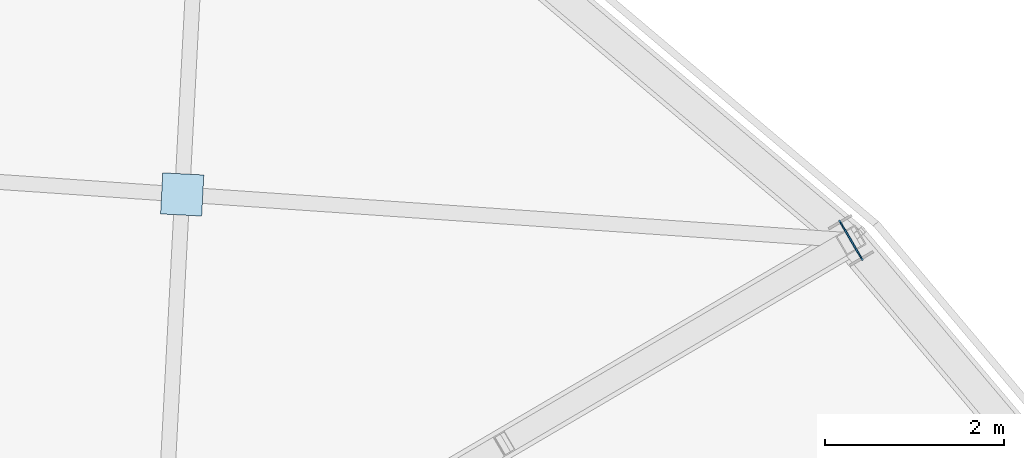
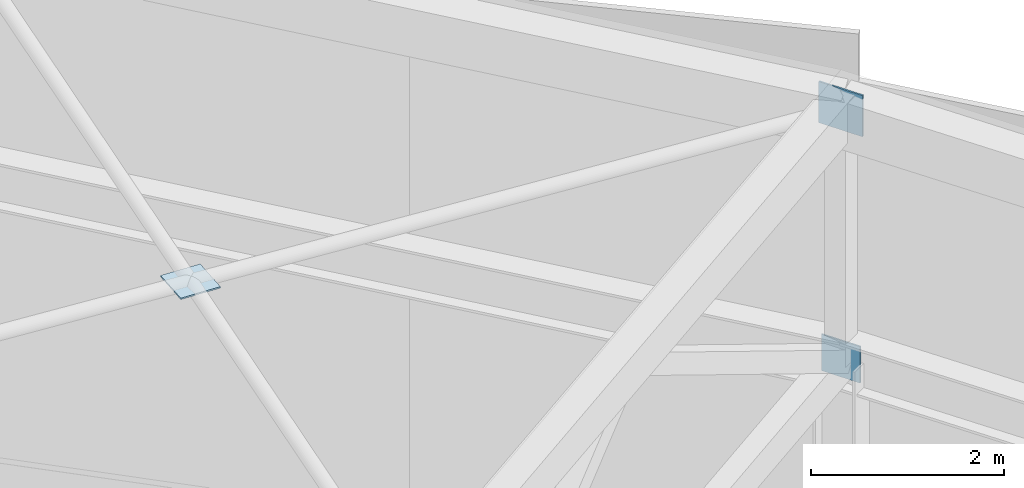
# One storey, part 128 of 143: 3 plates.
"""IFC4 building model written with IfcOpenShell, lengths in metres."""

from ifc_helpers import new_model, si_unit, direction, frame, origin, origin_2d, place, context, subcontext, project, spatial, rectangle, extrude, material, layer, layer_set, type_object, element, save


model = new_model("IFC4")

# Units and contexts
model_context = context("Model", 3, precision=1e-05, world=origin(), true_north=direction((0.0, 1.0)))
body_context = subcontext(model_context, "Body", "Model", "MODEL_VIEW")
ifc_project = project(units=[si_unit("LENGTHUNIT", "METRE"), si_unit("AREAUNIT", "SQUARE_METRE"), si_unit("VOLUMEUNIT", "CUBIC_METRE"), si_unit("PLANEANGLEUNIT", "RADIAN"), si_unit("MASSUNIT", "GRAM", prefix="KILO")], contexts=[model_context])

# Site, building, storey
site_placement = place(None, origin())
site = spatial("IfcSite", under=ifc_project, at=site_placement, CompositionType="ELEMENT")
building_placement = place(site_placement, origin())
building = spatial("IfcBuilding", under=site, at=building_placement, Name="Mphavela Belvedere Stadium", CompositionType="ELEMENT")
storey_placement = place(building_placement, frame((0.0, 0.0, 28.800048828125)))
storey = spatial("IfcBuildingStorey", under=building, at=storey_placement, Name="RF", CompositionType="ELEMENT", Elevation=28.800048828125)

# Plates
ifc_material_1 = material(Name="Steel S355", Category="steel")
ifc_layer_1 = layer(ifc_material_1, 0.01806640625)
ifc_layer_set_1 = layer_set([ifc_layer_1], Name="Steel S355")
plate_type_1 = type_object("IfcPlateType", Name="PLT-CAP-TRUSS-BC", PredefinedType="USERDEFINED", material=ifc_layer_set_1)
plate_1_placement = place(storey_placement, frame((201.33837890625, 137.653564453125, 4.23876953125), z_axis=(0.0, 0.0, 1.0), x_axis=(0.862513669207, 0.506033764121, 0.0)))
element("IfcPlate", 1, at=plate_1_placement, inside=storey, type_object=plate_type_1, Name="Roof truss RT-06 hollow-end cap plate out_bc", ObjectType="GUSSET_PLATE", PredefinedType="USERDEFINED", context=body_context, shape_type="SweptSolid", body=[
    extrude(rectangle(XDim=0.01806640625, YDim=0.4599609375, at=origin_2d()), origin(), (0.0, 0.0, 1.0), 0.4599609375),
])
plate_2_placement = place(storey_placement, frame((193.864990234375, 138.16552734375, 7.731201171875), z_axis=(0.0, 0.0, 1.0), x_axis=(0.052335956243, 0.998629534755, 0.0)))
element("IfcPlate", 2, at=plate_2_placement, inside=storey, type_object=plate_type_1, Name="Roof X-brace crossing gusset node plate 06", ObjectType="GUSSET_PLATE", PredefinedType="USERDEFINED", context=body_context, shape_type="SweptSolid", body=[
    extrude(rectangle(XDim=0.4599609375, YDim=0.4599609375, at=origin_2d()), origin(), (0.0, 0.0, 1.0), 0.01806640625),
])
ifc_material_2 = material(Name="Steel S355", Category="steel")
ifc_layer_2 = layer(ifc_material_2, 0.02001953125)
ifc_layer_set_2 = layer_set([ifc_layer_2], Name="Steel S355")
plate_type_2 = type_object("IfcPlateType", Name="PLT-CAP-TRUSS-TC", PredefinedType="USERDEFINED", material=ifc_layer_set_2)
plate_3_placement = place(storey_placement, frame((201.33837890625, 137.653564453125, 7.358642578125), z_axis=(0.0, 0.0, 1.0), x_axis=(0.862513669207, 0.506033764121, 0.0)))
element("IfcPlate", 3, at=plate_3_placement, inside=storey, type_object=plate_type_2, Name="Roof truss RT-06 hollow-end cap plate out_tc", ObjectType="GUSSET_PLATE", PredefinedType="USERDEFINED", context=body_context, shape_type="SweptSolid", body=[
    extrude(rectangle(XDim=0.02001953125, YDim=0.52001953125, at=origin_2d()), origin(), (0.0, 0.0, 1.0), 0.52001953125),
])

save(model, "model.ifc")
